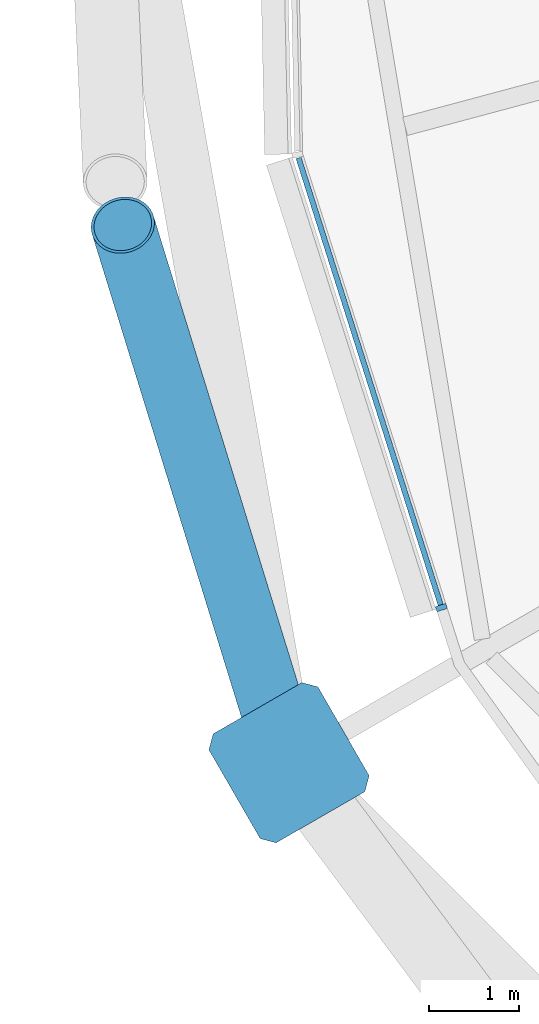
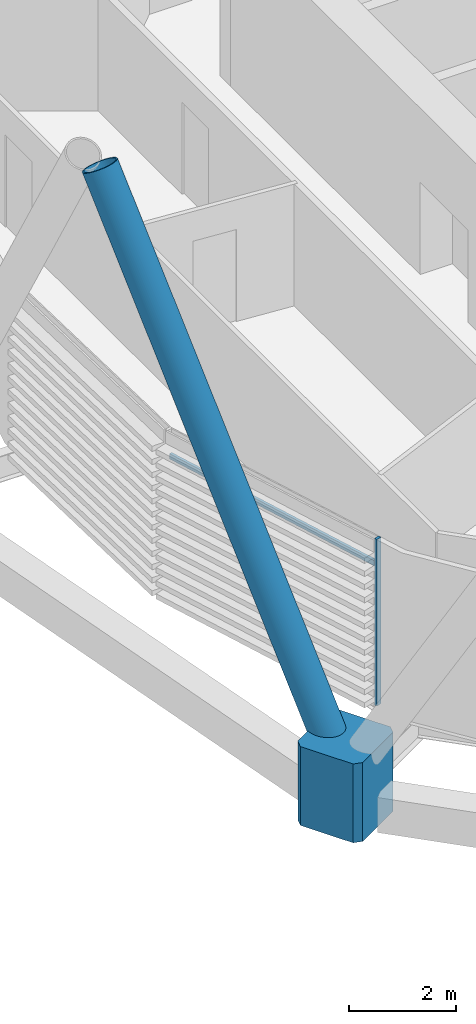
# One storey, part 7 of 39: 4 members, 1 element without a shape of its own.
"""IFC4 building model written with IfcOpenShell, lengths in metres."""

from ifc_helpers import new_model, si_unit, direction, frame, origin, origin_2d, place, context, subcontext, project, spatial, polyline, rectangle, hollow_circle, outline, extrude, material, material_profile, profile_set, type_object, element, aggregate, save


model = new_model("IFC4")

# Units and contexts
model_context = context("Model", 3, precision=1e-05, world=origin(), true_north=direction((0.0, 1.0)))
body_context = subcontext(model_context, "Body", "Model", "MODEL_VIEW")
ifc_project = project(units=[si_unit("LENGTHUNIT", "METRE"), si_unit("AREAUNIT", "SQUARE_METRE"), si_unit("VOLUMEUNIT", "CUBIC_METRE"), si_unit("PLANEANGLEUNIT", "RADIAN"), si_unit("MASSUNIT", "GRAM", prefix="KILO")], contexts=[model_context])

# Site, building, storey
site_placement = place(None, origin())
site = spatial("IfcSite", under=ifc_project, at=site_placement, CompositionType="ELEMENT")
building_placement = place(site_placement, origin())
building = spatial("IfcBuilding", under=site, at=building_placement, Name="Rimbun Link Towers", CompositionType="ELEMENT")
storey_placement = place(building_placement, frame((0.0, 0.0, 115.800048828125)))
storey = spatial("IfcBuildingStorey", under=building, at=storey_placement, Name="L28", CompositionType="ELEMENT", Elevation=115.800048828125)

# Curtain wall, members
ifc_material_1 = material(Name="Aluminium 6063-T6 and low-iron glass", Category="aluminium")
curtain_wall_type = type_object("IfcCurtainWallType", Name="CW1-Z2 unitised vision wall (zone 2)", PredefinedType="NOTDEFINED", material=ifc_material_1)
curtain_wall_placement = place(storey_placement, origin())
curtain_wall = element("IfcCurtainWall", 1, at=curtain_wall_placement, inside=storey, type_object=curtain_wall_type, Name="CW1 L28 T2", PredefinedType="NOTDEFINED")
ifc_material_2 = material(Name="Aluminium 6063-T6", Category="aluminium")
ifc_material_profile_1 = material_profile(ifc_material_2, rectangle(XDim=0.1201171875, YDim=0.06005859375, at=origin_2d()), Name="MULLION 60X120")
ifc_profile_set_1 = profile_set([ifc_material_profile_1], Name="Aluminium 6063-T6")
member_type_1 = type_object("IfcMemberType", Name="CW1 mullion 60X120", PredefinedType="MULLION", material=ifc_profile_set_1)
member_1_placement = place(storey_placement, frame((11.683837890625, -10.837158203125, 0.0), z_axis=(0.0, 0.0, 1.0), x_axis=(-0.952967205153, -0.303073433186, 0.0)))
member_1 = element("IfcMember", 2, at=member_1_placement, type_object=member_type_1, Name="CW1 mullion", PredefinedType="MULLION", context=body_context, shape_type="SweptSolid", body=[
    extrude(rectangle(XDim=0.1201171875, YDim=0.06005859375, at=origin_2d()), origin(), (0.0, 0.0, 1.0), 3.800048828125),
])
ifc_material_3 = material(Name="Aluminium 6063-T6", Category="aluminium")
ifc_material_profile_2 = material_profile(ifc_material_3, rectangle(XDim=0.06005859375, YDim=0.1201171875, at=origin_2d()), Name="TRANSOM 60X120")
ifc_profile_set_2 = profile_set([ifc_material_profile_2], Name="Aluminium 6063-T6")
member_type_2 = type_object("IfcMemberType", Name="CW1 transom 60X120", PredefinedType="USERDEFINED", material=ifc_profile_set_2)
member_2_placement = place(storey_placement, frame((11.6767578125, -10.807861328125, 3.199951171875), z_axis=(-0.30309935161, 0.952958961894, 0.0), x_axis=(-0.952958961894, -0.30309935161, 0.0)))
member_2 = element("IfcMember", 3, at=member_2_placement, type_object=member_type_2, Name="CW1 transom", ObjectType="TRANSOM", PredefinedType="USERDEFINED", context=body_context, shape_type="SweptSolid", body=[
    extrude(rectangle(XDim=0.06005859375, YDim=0.1201171875, at=origin_2d()), origin(), (0.0, 0.0, 1.0), 5.217041015625),
])
aggregate(curtain_wall, [member_1, member_2])

# Members
ifc_material_4 = material(Name="Steel S460NH", Category="steel")
ifc_material_profile_3 = material_profile(ifc_material_4, hollow_circle(Radius=0.355712890625, WallThickness=0.031982421875, at=origin_2d()), Name="Diagrid diagonal CHS 711x32")
ifc_profile_set_3 = profile_set([ifc_material_profile_3], Name="Steel S460NH")
member_type_3 = type_object("IfcMemberType", Name="Diagrid diagonal CHS 711x32", PredefinedType="BRACE", material=ifc_profile_set_3)
member_3_placement = place(storey_placement, frame((9.916259765625, -12.32666015625, 0.43408203125), z_axis=(-0.146419249453, 0.473663151536, 0.868449550789), x_axis=(-0.95539451683, -0.295332553592, 0.0)))
element("IfcMember", 4, at=member_3_placement, inside=storey, type_object=member_type_3, Name="Diagrid diagonal T2 L28-L31 11a", PredefinedType="BRACE", context=body_context, shape_type="SweptSolid", body=[
    extrude(hollow_circle(Radius=0.355712890625, WallThickness=0.031982421875, at=origin_2d()), origin(), (0.0, 0.0, 1.0), 12.126953125),
])
ifc_material_5 = material(Name="Cast steel G20Mn5+QT, Rp0.2 300 MPa", Category="steel")
ifc_material_profile_4 = material_profile(ifc_material_5, outline(polyline([(0.699951171875, -0.570068359375), (0.699951171875, 0.570068359375), (0.570068359375, 0.699951171875), (-0.570068359375, 0.699951171875), (-0.699951171875, 0.570068359375), (-0.699951171875, -0.570068359375), (-0.570068359375, -0.699951171875), (0.570068359375, -0.699951171875), (0.699951171875, -0.570068359375)])), Name="NODE 1400x1400")
ifc_profile_set_4 = profile_set([ifc_material_profile_4], Name="Cast steel G20Mn5+QT, Rp0.2 300 MPa")
member_type_4 = type_object("IfcMemberType", Name="Diagrid node cast 1400", PredefinedType="USERDEFINED", material=ifc_profile_set_4)
member_4_placement = place(storey_placement, frame((9.989501953125, -12.5634765625, -0.900146484375), z_axis=(0.0, 0.0, 1.0), x_axis=(-0.866025403784, -0.5, 0.0)))
element("IfcMember", 5, at=member_4_placement, inside=storey, type_object=member_type_4, Name="Diagrid node L28 11", ObjectType="Diagrid node", PredefinedType="USERDEFINED", context=body_context, shape_type="SweptSolid", body=[
    extrude(outline(polyline([(0.699951171875, -0.570068359375), (0.699951171875, 0.570068359375), (0.570068359375, 0.699951171875), (-0.570068359375, 0.699951171875), (-0.699951171875, 0.570068359375), (-0.699951171875, -0.570068359375), (-0.570068359375, -0.699951171875), (0.570068359375, -0.699951171875), (0.699951171875, -0.570068359375)])), origin(), (0.0, 0.0, 1.0), 1.800048828125),
])

save(model, "model.ifc")
